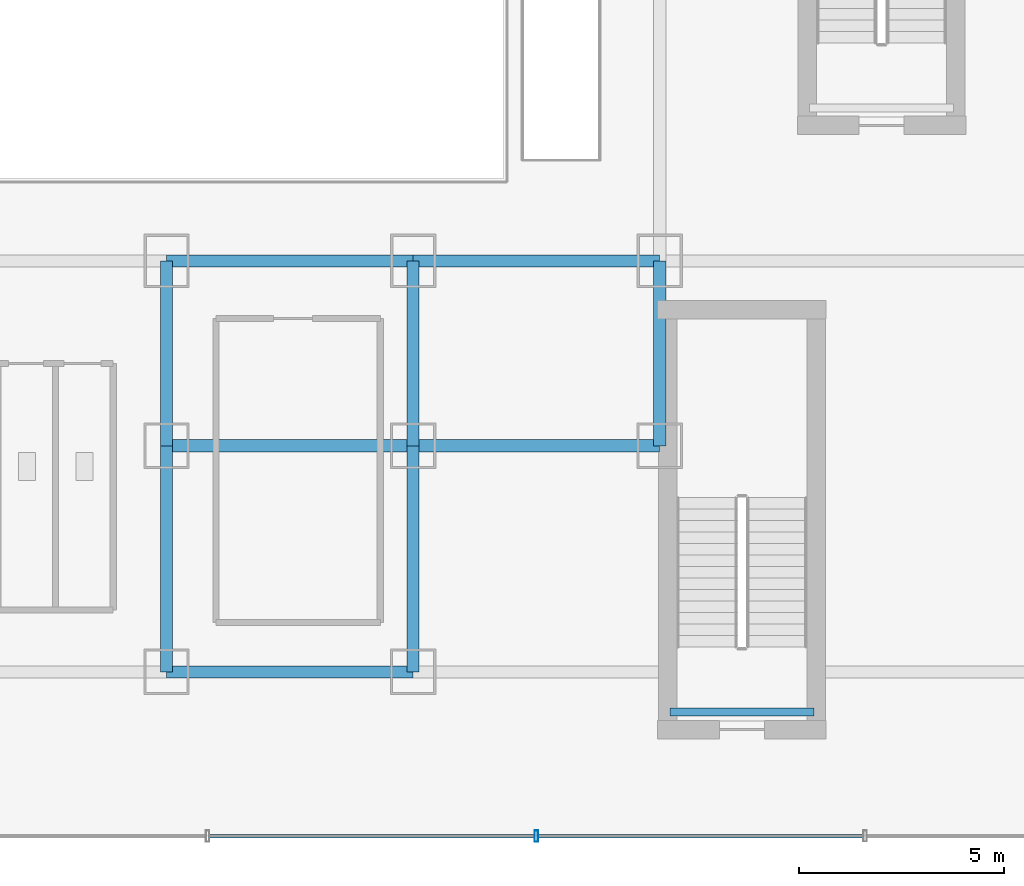
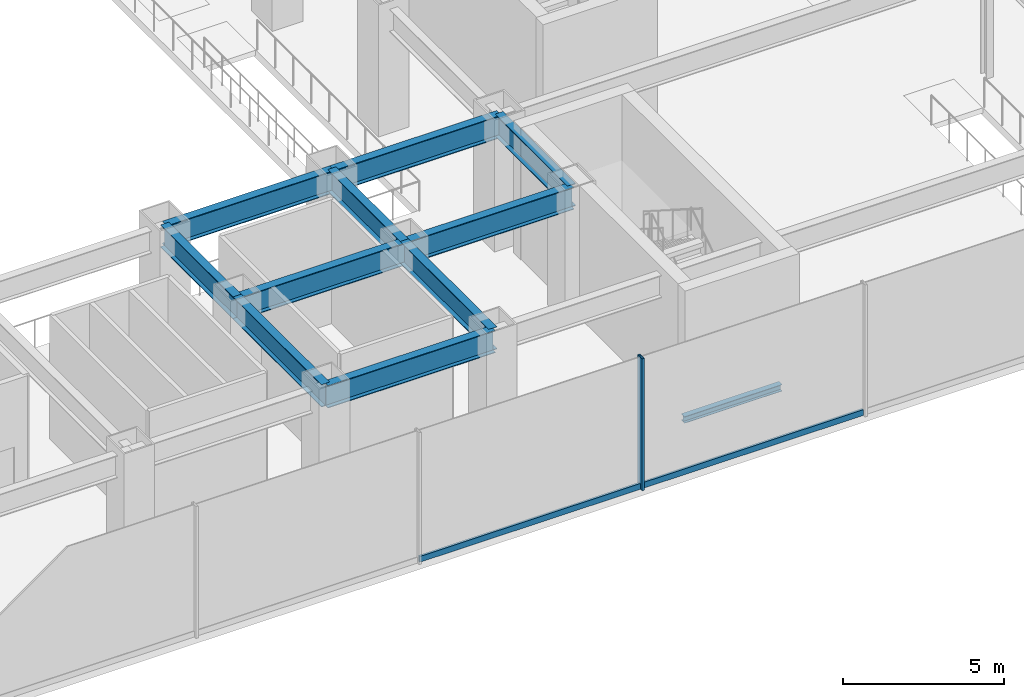
# One storey, part 10 of 40: 11 beams, 3 members, 1 element without a shape of its own.
"""IFC4 building model written with IfcOpenShell, lengths in metres."""

from ifc_helpers import new_model, si_unit, derived_unit, direction, frame, origin, origin_2d, place, context, subcontext, project, spatial, hollow_rectangle, i_section, extrude, source, transform, mapped, material, material_profile, profile_set, type_object, element, aggregate, save


model = new_model("IFC4")

# Units and contexts
model_context = context("Model", 3, precision=1e-05, world=origin(), true_north=direction((0.0, 1.0)))
body_context = subcontext(model_context, "Body", "Model", "MODEL_VIEW")
ifc_project = project(units=[si_unit("LENGTHUNIT", "METRE"), si_unit("AREAUNIT", "SQUARE_METRE"), si_unit("VOLUMEUNIT", "CUBIC_METRE"), si_unit("PLANEANGLEUNIT", "RADIAN"), si_unit("MASSUNIT", "GRAM", prefix="KILO"), derived_unit("THERMALTRANSMITTANCEUNIT", [(si_unit("POWERUNIT", "WATT"), 1), (si_unit("LENGTHUNIT", "METRE"), -2), (si_unit("THERMODYNAMICTEMPERATUREUNIT", "KELVIN"), -1)])], contexts=[model_context])

# Site, building, storey
site_placement = place(None, origin())
site = spatial("IfcSite", under=ifc_project, at=site_placement, CompositionType="ELEMENT")
building_placement = place(site_placement, origin())
building = spatial("IfcBuilding", under=site, at=building_placement, Name="Skarnbrae Concourse Arena and Tower", CompositionType="ELEMENT")
storey_placement = place(building_placement, frame((0.0, 0.0, 6.0)))
storey = spatial("IfcBuildingStorey", under=building, at=storey_placement, Name="L01", CompositionType="ELEMENT", Elevation=6.0)

# Beams
ifc_material_1 = material(Name="Steel CSA G40.21 350W", Category="steel")
ifc_material_profile_1 = material_profile(ifc_material_1, i_section(OverallWidth=0.2939453125, OverallDepth=0.85107421875, WebThickness=0.01611328125, FlangeThickness=0.02685546875, at=origin_2d()), Name="W840X226")
ifc_profile_set_1 = profile_set([ifc_material_profile_1], Name="Steel CSA G40.21 350W")
beam_type_1 = type_object("IfcBeamType", Name="BM-GIRD-W840X226", PredefinedType="BEAM", material=ifc_profile_set_1)
shared_shape_1 = source(origin(), body_context, "Body", "SweptSolid", [
    extrude(i_section(OverallWidth=0.2939453125, OverallDepth=0.85107421875, WebThickness=0.01611328125, FlangeThickness=0.02685546875, at=origin_2d()), origin(), (0.0, 0.0, 1.0), 5.5),
])
for number, where, z_axis, x_axis, name in (
    (1, (49.0, 4.0, 4.2744140625), (0.0, 1.0, 0.0), (-1.0, 0.0, 0.0), "L01 SE south tie 49"),
    (2, (55.0, 4.0, 4.2744140625), (0.0, 1.0, 0.0), (-1.0, 0.0, 0.0), "L01 SE south tie 55"),
):
    element("IfcBeam", number, at=place(storey_placement, frame(where, z_axis=z_axis, x_axis=x_axis)), inside=storey, type_object=beam_type_1, Name=name, PredefinedType="BEAM", context=body_context, shape_type="MappedRepresentation", body=[
        mapped(shared_shape_1, transform((0.0, 0.0, 0.0))),
    ])
shared_shape_2 = source(origin(), body_context, "Body", "SweptSolid", [
    extrude(i_section(OverallWidth=0.2939453125, OverallDepth=0.85107421875, WebThickness=0.01611328125, FlangeThickness=0.02685546875, at=origin_2d()), origin(), (0.0, 0.0, 1.0), 6.0),
])
for number, where, z_axis, x_axis, name in (
    (3, (49.0, 14.0, 4.2744140625), (1.0, 0.0, 0.0), (0.0, 1.0, 0.0), "L01 Podium south spine girder 8"),
    (4, (55.0, 14.0, 4.2744140625), (1.0, 0.0, 0.0), (0.0, 1.0, 0.0), "L01 Podium south spine girder 9"),
    (5, (49.0, 9.5, 4.2744140625), (1.0, 0.0, 0.0), (0.0, 1.0, 0.0), "L01 SE elbow girder 1"),
    (6, (55.0, 9.5, 4.2744140625), (1.0, 0.0, 0.0), (0.0, 1.0, 0.0), "L01 SE elbow girder 2"),
    (7, (49.0, 4.0, 4.2744140625), (1.0, 0.0, 0.0), (0.0, 1.0, 0.0), "L01 South-east girder 3"),
):
    element("IfcBeam", number, at=place(storey_placement, frame(where, z_axis=z_axis, x_axis=x_axis)), inside=storey, type_object=beam_type_1, Name=name, PredefinedType="BEAM", context=body_context, shape_type="MappedRepresentation", body=[
        mapped(shared_shape_2, transform((0.0, 0.0, 0.0))),
    ])
shared_shape_3 = source(origin(), body_context, "Body", "SweptSolid", [
    extrude(i_section(OverallWidth=0.2939453125, OverallDepth=0.85107421875, WebThickness=0.01611328125, FlangeThickness=0.02685546875, at=origin_2d()), origin(), (0.0, 0.0, 1.0), 4.5),
])
for number, where, z_axis, x_axis, name in (
    (8, (61.0, 9.5, 4.2744140625), (0.0, 1.0, 0.0), (-1.0, 0.0, 0.0), "L01 Podium east girder 1"),
    (9, (49.0, 9.5, 4.2744140625), (0.0, 1.0, 0.0), (-1.0, 0.0, 0.0), "L01 SE north tie 49"),
    (10, (55.0, 9.5, 4.2744140625), (0.0, 1.0, 0.0), (-1.0, 0.0, 0.0), "L01 SE north tie 55"),
):
    element("IfcBeam", number, at=place(storey_placement, frame(where, z_axis=z_axis, x_axis=x_axis)), inside=storey, type_object=beam_type_1, Name=name, PredefinedType="BEAM", context=body_context, shape_type="MappedRepresentation", body=[
        mapped(shared_shape_3, transform((0.0, 0.0, 0.0))),
    ])

# Curtain wall, members
ifc_material_2 = material(Name="Bronze anodised aluminium 6063-T6", Category="aluminium")
curtain_wall_type = type_object("IfcCurtainWallType", Name="CW-SYS-01-PODIUM", PredefinedType="USERDEFINED", material=ifc_material_2)
curtain_wall_placement = place(storey_placement, origin())
curtain_wall = element("IfcCurtainWall", 11, at=curtain_wall_placement, inside=storey, type_object=curtain_wall_type, Name="L01 Unitised curtain wall CW-L01-SE", ObjectType="UNITISED CURTAIN WALL", PredefinedType="USERDEFINED")
ifc_material_profile_2 = material_profile(ifc_material_2, hollow_rectangle(XDim=0.0849609375, YDim=0.280029296875, WallThickness=0.006103515625, at=origin_2d()), Name="ALU-MULL-85X280")
ifc_profile_set_2 = profile_set([ifc_material_profile_2], Name="Bronze anodised aluminium 6063-T6")
member_type_1 = type_object("IfcMemberType", Name="CWM-CW-01", PredefinedType="MULLION", material=ifc_profile_set_2)
shared_shape_4 = source(origin(), body_context, "Body", "SweptSolid", [
    extrude(hollow_rectangle(XDim=0.0849609375, YDim=0.280029296875, WallThickness=0.006103515625, at=origin_2d()), origin(), (0.0, 0.0, 1.0), 5.0),
])
member_1_placement = place(storey_placement, frame((58.0, 0.0, 0.0), z_axis=(0.0, 0.0, 1.0), x_axis=(1.0, 0.0, 0.0)))
member_1 = element("IfcMember", 12, at=member_1_placement, type_object=member_type_1, Name="CW-L01-SE Mullion 4", PredefinedType="MULLION", context=body_context, shape_type="MappedRepresentation", body=[
    mapped(shared_shape_4, transform((0.0, 0.0, 0.0))),
])
ifc_material_profile_3 = material_profile(ifc_material_2, hollow_rectangle(XDim=0.0849609375, YDim=0.219970703125, WallThickness=0.006103515625, at=origin_2d()), Name="ALU-TRAN-85X220")
ifc_profile_set_3 = profile_set([ifc_material_profile_3], Name="Bronze anodised aluminium 6063-T6")
member_type_2 = type_object("IfcMemberType", Name="CWT-CW-01", PredefinedType="USERDEFINED", material=ifc_profile_set_3)
shared_shape_5 = source(origin(), body_context, "Body", "SweptSolid", [
    extrude(hollow_rectangle(XDim=0.0849609375, YDim=0.219970703125, WallThickness=0.006103515625, at=origin_2d()), origin(), (0.0, 0.0, 1.0), 7.9150390625),
])
member_2_placement = place(storey_placement, frame((50.04248046875, 0.0, 0.110107421875), z_axis=(1.0, 0.0, 0.0), x_axis=(0.0, 1.0, 0.0)))
member_2 = element("IfcMember", 13, at=member_2_placement, type_object=member_type_2, Name="CW-L01-SE Transom 3", ObjectType="TRANSOM", PredefinedType="USERDEFINED", context=body_context, shape_type="MappedRepresentation", body=[
    mapped(shared_shape_5, transform((0.0, 0.0, 0.0))),
])
member_3_placement = place(storey_placement, frame((58.04248046875, 0.0, 0.110107421875), z_axis=(1.0, 0.0, 0.0), x_axis=(0.0, 1.0, 0.0)))
member_3 = element("IfcMember", 14, at=member_3_placement, type_object=member_type_2, Name="CW-L01-SE Transom 4", ObjectType="TRANSOM", PredefinedType="USERDEFINED", context=body_context, shape_type="MappedRepresentation", body=[
    mapped(shared_shape_5, transform((0.0, 0.0, 0.0))),
])
aggregate(curtain_wall, [member_1, member_2, member_3])

# Beam
ifc_material_profile_4 = material_profile(ifc_material_1, i_section(OverallWidth=0.202880859375, OverallDepth=0.251953125, WebThickness=0.008056640625, FlangeThickness=0.013427734375, at=origin_2d()), Name="W250X58")
ifc_profile_set_4 = profile_set([ifc_material_profile_4], Name="Steel CSA G40.21 350W")
beam_type_2 = type_object("IfcBeamType", Name="BM-LINTEL-W250X58", PredefinedType="LINTEL", material=ifc_profile_set_4)
shared_shape_6 = source(origin(), body_context, "Body", "SweptSolid", [
    extrude(i_section(OverallWidth=0.202880859375, OverallDepth=0.251953125, WebThickness=0.008056640625, FlangeThickness=0.013427734375, at=origin_2d()), origin(), (0.0, 0.0, 1.0), 3.5),
])
beam_placement = place(storey_placement, frame((64.75, 3.02001953125, -0.325927734375), z_axis=(-1.0, 0.0, 0.0), x_axis=(0.0, -1.0, 0.0)))
element("IfcBeam", 15, at=beam_placement, inside=storey, type_object=beam_type_2, Name="L01 Stair ST-A1 near landing soffit beam", PredefinedType="LINTEL", context=body_context, shape_type="MappedRepresentation", body=[
    mapped(shared_shape_6, transform((0.0, 0.0, 0.0))),
])

save(model, "model.ifc")
